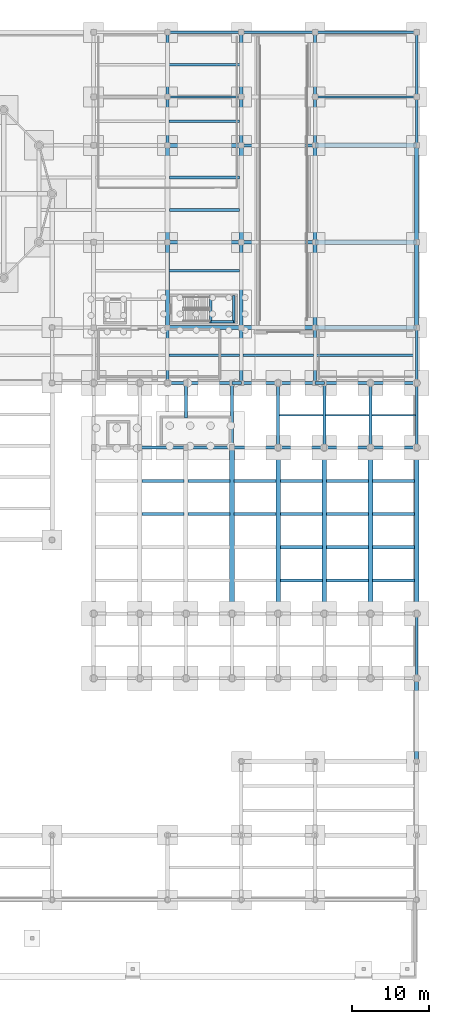
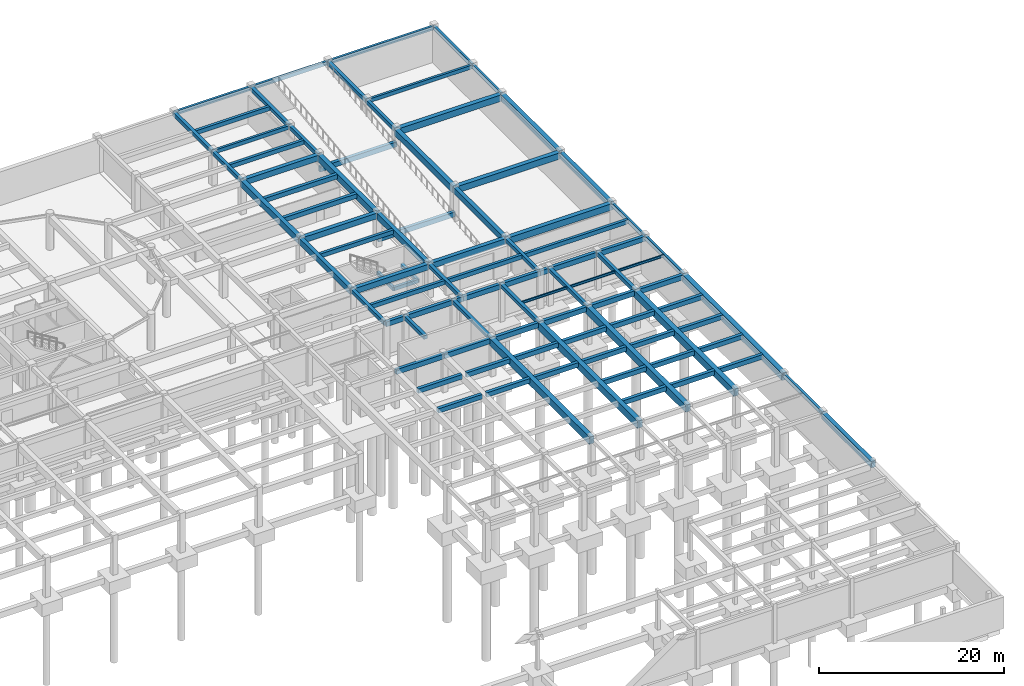
# One storey, part 19 of 37: 93 beams.
"""IFC4 building model written with IfcOpenShell, lengths in metres."""

from ifc_helpers import new_model, si_unit, direction, frame, origin, origin_2d, place, context, subcontext, project, spatial, rectangle, i_section, extrude, material, material_profile, profile_set, type_object, element, save


model = new_model("IFC4")

# Units and contexts
model_context = context("Model", 3, precision=1e-05, world=origin(), true_north=direction((0.0, 1.0)))
body_context = subcontext(model_context, "Body", "Model", "MODEL_VIEW")
ifc_project = project(units=[si_unit("LENGTHUNIT", "METRE"), si_unit("AREAUNIT", "SQUARE_METRE"), si_unit("VOLUMEUNIT", "CUBIC_METRE"), si_unit("PLANEANGLEUNIT", "RADIAN"), si_unit("MASSUNIT", "GRAM", prefix="KILO")], contexts=[model_context])

# Site, building, storey
site_placement = place(None, origin())
site = spatial("IfcSite", under=ifc_project, at=site_placement, CompositionType="ELEMENT")
building_placement = place(site_placement, origin())
building = spatial("IfcBuilding", under=site, at=building_placement, Name="Tarnavel Promenade Courthouse", CompositionType="ELEMENT")
storey_placement = place(building_placement, frame((0.0, 0.0, -4.800048828125)))
storey = spatial("IfcBuildingStorey", under=building, at=storey_placement, Name="B01", CompositionType="ELEMENT", Elevation=-4.800048828125)

# Beams
ifc_material_1 = material(Name="Concrete C40/50", Category="concrete")
ifc_material_profile_1 = material_profile(ifc_material_1, rectangle(XDim=0.35009765625, YDim=0.550048828125, at=origin_2d()), Name="PT 350x550")
ifc_profile_set_1 = profile_set([ifc_material_profile_1], Name="Concrete C40/50")
beam_type_1 = type_object("IfcBeamType", Name="Concrete C40/50 BM-PT-350x550 (PT 350x550)", PredefinedType="JOIST", material=ifc_profile_set_1)
beam_1_placement = place(storey_placement, frame((129.77001953125, 70.800048828125, 4.179931640625), z_axis=(1.0, 0.0, 0.0), x_axis=(0.0, 1.0, 0.0)))
element("IfcBeam", 1, at=beam_1_placement, inside=storey, type_object=beam_type_1, Name="B01 Secondary Floor Rib 0411", PredefinedType="JOIST", context=body_context, shape_type="SweptSolid", body=[
    extrude(rectangle(XDim=0.35009765625, YDim=0.550048828125, at=origin_2d()), origin(), (0.0, 0.0, 1.0), 9.260009765625),
])
beam_2_placement = place(storey_placement, frame((139.3701171875, 70.800048828125, 4.179931640625), z_axis=(1.0, 0.0, 0.0), x_axis=(0.0, 1.0, 0.0)))
element("IfcBeam", 2, at=beam_2_placement, inside=storey, type_object=beam_type_1, Name="B01 Secondary Floor Rib 0412", PredefinedType="JOIST", context=body_context, shape_type="SweptSolid", body=[
    extrude(rectangle(XDim=0.35009765625, YDim=0.550048828125, at=origin_2d()), origin(), (0.0, 0.0, 1.0), 9.259765625),
])
beam_3_placement = place(storey_placement, frame((148.969970703125, 70.800048828125, 4.179931640625), z_axis=(1.0, 0.0, 0.0), x_axis=(0.0, 1.0, 0.0)))
element("IfcBeam", 3, at=beam_3_placement, inside=storey, type_object=beam_type_1, Name="B01 Secondary Floor Rib 0413", PredefinedType="JOIST", context=body_context, shape_type="SweptSolid", body=[
    extrude(rectangle(XDim=0.35009765625, YDim=0.550048828125, at=origin_2d()), origin(), (0.0, 0.0, 1.0), 12.909912109375),
])
beam_4_placement = place(storey_placement, frame((129.820068359375, 81.800048828125, 4.179931640625), z_axis=(1.0, 0.0, 0.0), x_axis=(0.0, 1.0, 0.0)))
element("IfcBeam", 4, at=beam_4_placement, inside=storey, type_object=beam_type_1, Name="B01 Secondary Floor Rib 0424", PredefinedType="JOIST", context=body_context, shape_type="SweptSolid", body=[
    extrude(rectangle(XDim=0.35009765625, YDim=0.550048828125, at=origin_2d()), origin(), (0.0, 0.0, 1.0), 9.159912109375),
])
for number, where, z_axis, x_axis, name in (
    (5, (129.77001953125, 108.60009765625, 4.179931640625), (1.0, 0.0, 0.0), (0.0, 1.0, 0.0), "B01 Secondary Floor Rib 0511"),
    (6, (129.77001953125, 101.25, 4.179931640625), (1.0, 0.0, 0.0), (0.0, 1.0, 0.0), "B01 Secondary Floor Rib 0545"),
):
    element("IfcBeam", number, at=place(storey_placement, frame(where, z_axis=z_axis, x_axis=x_axis)), inside=storey, type_object=beam_type_1, Name=name, PredefinedType="JOIST", context=body_context, shape_type="SweptSolid", body=[
        extrude(rectangle(XDim=0.35009765625, YDim=0.550048828125, at=origin_2d()), origin(), (0.0, 0.0, 1.0), 9.260009765625),
    ])
ifc_material_profile_2 = material_profile(ifc_material_1, rectangle(XDim=0.39990234375, YDim=0.60009765625, at=origin_2d()), Name="PT 400x600")
ifc_profile_set_2 = profile_set([ifc_material_profile_2], Name="Concrete C40/50")
beam_type_2 = type_object("IfcBeamType", Name="Concrete C40/50 BM-PT-400x600 (PT 400x600)", PredefinedType="JOIST", material=ifc_profile_set_2)
for number, where, z_axis, x_axis, name in (
    (7, (129.844970703125, 89.699951171875, 4.155029296875), (1.0, 0.0, 0.0), (0.0, 1.0, 0.0), "B01 Secondary Floor Rib 0439"),
    (8, (129.844970703125, 93.89990234375, 4.155029296875), (1.0, 0.0, 0.0), (0.0, 1.0, 0.0), "B01 Secondary Floor Rib 0440"),
):
    element("IfcBeam", number, at=place(storey_placement, frame(where, z_axis=z_axis, x_axis=x_axis)), inside=storey, type_object=beam_type_2, Name=name, PredefinedType="JOIST", context=body_context, shape_type="SweptSolid", body=[
        extrude(rectangle(XDim=0.39990234375, YDim=0.60009765625, at=origin_2d()), origin(), (0.0, 0.0, 1.0), 9.110107421875),
    ])
for number, where, z_axis, x_axis, name in (
    (9, (126.27001953125, 50.159912109375, 4.215087890625), (1.0, 0.0, 0.0), (0.0, 1.0, 0.0), "B01 Secondary Floor Rib 0518"),
    (10, (126.27001953125, 54.47998046875, 4.215087890625), (1.0, 0.0, 0.0), (0.0, 1.0, 0.0), "B01 Secondary Floor Rib 0519"),
    (11, (132.27001953125, 50.159912109375, 4.215087890625), (1.0, 0.0, 0.0), (0.0, 1.0, 0.0), "B01 Secondary Floor Rib 0522"),
    (12, (132.27001953125, 54.47998046875, 4.215087890625), (1.0, 0.0, 0.0), (0.0, 1.0, 0.0), "B01 Secondary Floor Rib 0523"),
    (13, (138.27001953125, 50.159912109375, 4.215087890625), (1.0, 0.0, 0.0), (0.0, 1.0, 0.0), "B01 Secondary Floor Rib 0526"),
    (14, (138.27001953125, 54.47998046875, 4.215087890625), (1.0, 0.0, 0.0), (0.0, 1.0, 0.0), "B01 Secondary Floor Rib 0527"),
    (15, (144.27001953125, 41.52001953125, 4.215087890625), (1.0, 0.0, 0.0), (0.0, 1.0, 0.0), "B01 Secondary Floor Rib 0528"),
    (16, (144.27001953125, 45.840087890625, 4.215087890625), (1.0, 0.0, 0.0), (0.0, 1.0, 0.0), "B01 Secondary Floor Rib 0529"),
    (17, (144.27001953125, 50.159912109375, 4.215087890625), (1.0, 0.0, 0.0), (0.0, 1.0, 0.0), "B01 Secondary Floor Rib 0530"),
    (18, (144.27001953125, 54.47998046875, 4.215087890625), (1.0, 0.0, 0.0), (0.0, 1.0, 0.0), "B01 Secondary Floor Rib 0531"),
    (19, (150.27001953125, 41.52001953125, 4.215087890625), (1.0, 0.0, 0.0), (0.0, 1.0, 0.0), "B01 Secondary Floor Rib 0532"),
    (20, (150.27001953125, 45.840087890625, 4.215087890625), (1.0, 0.0, 0.0), (0.0, 1.0, 0.0), "B01 Secondary Floor Rib 0533"),
    (21, (150.27001953125, 50.159912109375, 4.215087890625), (1.0, 0.0, 0.0), (0.0, 1.0, 0.0), "B01 Secondary Floor Rib 0534"),
    (22, (150.27001953125, 54.47998046875, 4.215087890625), (1.0, 0.0, 0.0), (0.0, 1.0, 0.0), "B01 Secondary Floor Rib 0535"),
    (23, (156.27001953125, 41.52001953125, 4.215087890625), (1.0, 0.0, 0.0), (0.0, 1.0, 0.0), "B01 Secondary Floor Rib 0536"),
    (24, (156.27001953125, 45.840087890625, 4.215087890625), (1.0, 0.0, 0.0), (0.0, 1.0, 0.0), "B01 Secondary Floor Rib 0537"),
    (25, (156.27001953125, 50.159912109375, 4.215087890625), (1.0, 0.0, 0.0), (0.0, 1.0, 0.0), "B01 Secondary Floor Rib 0538"),
    (26, (156.27001953125, 54.47998046875, 4.215087890625), (1.0, 0.0, 0.0), (0.0, 1.0, 0.0), "B01 Secondary Floor Rib 0539"),
):
    element("IfcBeam", number, at=place(storey_placement, frame(where, z_axis=z_axis, x_axis=x_axis)), inside=storey, type_object=beam_type_2, Name=name, PredefinedType="JOIST", context=body_context, shape_type="SweptSolid", body=[
        extrude(rectangle(XDim=0.39990234375, YDim=0.60009765625, at=origin_2d()), origin(), (0.0, 0.0, 1.0), 5.4599609375),
    ])
ifc_material_profile_3 = material_profile(ifc_material_1, rectangle(XDim=0.5, YDim=0.800048828125, at=origin_2d()), Name="PT 500x800")
ifc_profile_set_3 = profile_set([ifc_material_profile_3], Name="Concrete C40/50")
beam_type_3 = type_object("IfcBeamType", Name="Concrete C40/50 BM-PT-500x800 (PT 500x800)", PredefinedType="T_BEAM", material=ifc_profile_set_3)
for number, where, z_axis, x_axis, name in (
    (27, (129.60009765625, 74.39990234375, 4.054931640625), (0.0, 1.0, 0.0), (-1.0, 0.0, 0.0), "B01 Transverse Girder 0310"),
    (28, (139.199951171875, 74.39990234375, 4.054931640625), (0.0, 1.0, 0.0), (-1.0, 0.0, 0.0), "B01 Transverse Girder 0323"),
    (29, (148.800048828125, 74.39990234375, 4.054931640625), (0.0, 1.0, 0.0), (-1.0, 0.0, 0.0), "B01 Transverse Girder 0333"),
):
    element("IfcBeam", number, at=place(storey_placement, frame(where, z_axis=z_axis, x_axis=x_axis)), inside=storey, type_object=beam_type_3, Name=name, PredefinedType="T_BEAM", context=body_context, shape_type="SweptSolid", body=[
        extrude(rectangle(XDim=0.5, YDim=0.800048828125, at=origin_2d()), origin(), (0.0, 0.0, 1.0), 11.10009765625),
    ])
beam_5_placement = place(storey_placement, frame((162.0, 18.0, 4.070068359375), z_axis=(0.0, 1.0, 0.0), x_axis=(-1.0, 0.0, 0.0)))
element("IfcBeam", 30, at=beam_5_placement, inside=storey, type_object=beam_type_3, Name="B01 Transverse Girder 0345", PredefinedType="T_BEAM", context=body_context, shape_type="SweptSolid", body=[
    extrude(rectangle(XDim=0.5, YDim=0.800048828125, at=origin_2d()), origin(), (0.0, 0.0, 1.0), 10.800048828125),
])
beam_6_placement = place(storey_placement, frame((162.0, 74.39990234375, 4.054931640625), z_axis=(0.0, 1.0, 0.0), x_axis=(-1.0, 0.0, 0.0)))
element("IfcBeam", 31, at=beam_6_placement, inside=storey, type_object=beam_type_3, Name="B01 Transverse Girder 0350", PredefinedType="T_BEAM", context=body_context, shape_type="SweptSolid", body=[
    extrude(rectangle(XDim=0.5, YDim=0.800048828125, at=origin_2d()), origin(), (0.0, 0.0, 1.0), 11.10009765625),
])
ifc_material_profile_4 = material_profile(ifc_material_1, rectangle(XDim=0.550048828125, YDim=0.85009765625, at=origin_2d()), Name="PT 550x850")
ifc_profile_set_4 = profile_set([ifc_material_profile_4], Name="Concrete C40/50")
beam_type_4 = type_object("IfcBeamType", Name="Concrete C40/50 BM-PT-550x850 (PT 550x850)", PredefinedType="T_BEAM", material=ifc_profile_set_4)
for number, where, z_axis, x_axis, name in (
    (32, (148.800048828125, 74.39990234375, 4.030029296875), (1.0, 0.0, 0.0), (0.0, 1.0, 0.0), "B01 Primary Longitudinal Beam 0128"),
    (33, (148.800048828125, 85.5, 4.030029296875), (1.0, 0.0, 0.0), (0.0, 1.0, 0.0), "B01 Primary Longitudinal Beam 0144"),
    (34, (148.800048828125, 98.10009765625, 4.030029296875), (1.0, 0.0, 0.0), (0.0, 1.0, 0.0), "B01 Primary Longitudinal Beam 0162"),
):
    element("IfcBeam", number, at=place(storey_placement, frame(where, z_axis=z_axis, x_axis=x_axis)), inside=storey, type_object=beam_type_4, Name=name, PredefinedType="T_BEAM", context=body_context, shape_type="SweptSolid", body=[
        extrude(rectangle(XDim=0.550048828125, YDim=0.85009765625, at=origin_2d()), origin(), (0.0, 0.0, 1.0), 13.199951171875),
    ])
for number, where, z_axis, x_axis, name in (
    (35, (129.60009765625, 85.5, 4.030029296875), (0.0, 1.0, 0.0), (-1.0, 0.0, 0.0), "B01 Transverse Girder 0311"),
    (36, (139.199951171875, 85.5, 4.030029296875), (0.0, 1.0, 0.0), (-1.0, 0.0, 0.0), "B01 Transverse Girder 0324"),
    (37, (148.800048828125, 85.5, 4.030029296875), (0.0, 1.0, 0.0), (-1.0, 0.0, 0.0), "B01 Transverse Girder 0334"),
    (38, (162.0, 85.5, 4.030029296875), (0.0, 1.0, 0.0), (-1.0, 0.0, 0.0), "B01 Transverse Girder 0351"),
):
    element("IfcBeam", number, at=place(storey_placement, frame(where, z_axis=z_axis, x_axis=x_axis)), inside=storey, type_object=beam_type_4, Name=name, PredefinedType="T_BEAM", context=body_context, shape_type="SweptSolid", body=[
        extrude(rectangle(XDim=0.550048828125, YDim=0.85009765625, at=origin_2d()), origin(), (0.0, 0.0, 1.0), 12.60009765625),
    ])
ifc_material_profile_5 = material_profile(ifc_material_1, rectangle(XDim=0.60009765625, YDim=0.949951171875, at=origin_2d()), Name="PT 600x950")
ifc_profile_set_5 = profile_set([ifc_material_profile_5], Name="Concrete C40/50")
beam_type_5 = type_object("IfcBeamType", Name="Concrete C40/50 BM-PT-600x950 (PT 600x950)", PredefinedType="T_BEAM", material=ifc_profile_set_5)
for number, where, z_axis, x_axis, name in (
    (39, (138.0, 37.199951171875, 4.0400390625), (0.0, 1.0, 0.0), (-1.0, 0.0, 0.0), "B01 Transverse Girder 0318"),
    (40, (144.0, 37.199951171875, 4.0400390625), (0.0, 1.0, 0.0), (-1.0, 0.0, 0.0), "B01 Transverse Girder 0328"),
    (41, (150.0, 37.199951171875, 4.0400390625), (0.0, 1.0, 0.0), (-1.0, 0.0, 0.0), "B01 Transverse Girder 0338"),
    (42, (156.0, 37.199951171875, 4.0400390625), (0.0, 1.0, 0.0), (-1.0, 0.0, 0.0), "B01 Transverse Girder 0341"),
    (43, (162.0, 37.199951171875, 4.0400390625), (0.0, 1.0, 0.0), (-1.0, 0.0, 0.0), "B01 Transverse Girder 0347"),
):
    element("IfcBeam", number, at=place(storey_placement, frame(where, z_axis=z_axis, x_axis=x_axis)), inside=storey, type_object=beam_type_5, Name=name, PredefinedType="T_BEAM", context=body_context, shape_type="SweptSolid", body=[
        extrude(rectangle(XDim=0.60009765625, YDim=0.949951171875, at=origin_2d()), origin(), (0.0, 0.0, 1.0), 21.60009765625),
    ])
ifc_material_profile_6 = material_profile(ifc_material_1, rectangle(XDim=0.35009765625, YDim=0.449951171875, at=origin_2d()), Name="RC 350x450")
ifc_profile_set_6 = profile_set([ifc_material_profile_6], Name="Concrete C40/50")
beam_type_6 = type_object("IfcBeamType", Name="Concrete C40/50 BM-RC-350x450 (RC 350x450)", PredefinedType="BEAM", material=ifc_profile_set_6)
for number, where, z_axis, x_axis, name in (
    (44, (135.239990234375, 75.02001953125, 1.969970703125), (0.0, 1.0, 0.0), (-1.0, 0.0, 0.0), "B01 ST-06 Mid-Landing Support Beam Near"),
    (45, (138.219970703125, 75.02001953125, 1.969970703125), (0.0, 1.0, 0.0), (-1.0, 0.0, 0.0), "B01 ST-06 Mid-Landing Support Beam Far"),
):
    element("IfcBeam", number, at=place(storey_placement, frame(where, z_axis=z_axis, x_axis=x_axis)), inside=storey, type_object=beam_type_6, Name=name, PredefinedType="BEAM", context=body_context, shape_type="SweptSolid", body=[
        extrude(rectangle(XDim=0.35009765625, YDim=0.449951171875, at=origin_2d()), origin(), (0.0, 0.0, 1.0), 3.56005859375),
    ])
beam_7_placement = place(storey_placement, frame((135.239990234375, 75.169921875, 1.969970703125), z_axis=(1.0, 0.0, 0.0), x_axis=(0.0, 1.0, 0.0)))
element("IfcBeam", 46, at=beam_7_placement, inside=storey, type_object=beam_type_6, Name="B01 ST-06 Mid-Landing Edge Trimmer", PredefinedType="BEAM", context=body_context, shape_type="SweptSolid", body=[
    extrude(rectangle(XDim=0.35009765625, YDim=0.449951171875, at=origin_2d()), origin(), (0.0, 0.0, 1.0), 2.97998046875),
])
ifc_material_profile_7 = material_profile(ifc_material_1, rectangle(XDim=0.39990234375, YDim=0.5, at=origin_2d()), Name="RC 400x500")
ifc_profile_set_7 = profile_set([ifc_material_profile_7], Name="Concrete C40/50")
beam_type_7 = type_object("IfcBeamType", Name="Concrete C40/50 BM-RC-400x500 (RC 400x500)", PredefinedType="BEAM", material=ifc_profile_set_7)
beam_8_placement = place(storey_placement, frame((129.60009765625, 67.199951171875, 4.205078125), z_axis=(0.0, 1.0, 0.0), x_axis=(-1.0, 0.0, 0.0)))
element("IfcBeam", 47, at=beam_8_placement, inside=storey, type_object=beam_type_7, Name="B01 Transverse Girder 0309", PredefinedType="BEAM", context=body_context, shape_type="SweptSolid", body=[
    extrude(rectangle(XDim=0.39990234375, YDim=0.5, at=origin_2d()), origin(), (0.0, 0.0, 1.0), 7.199951171875),
])
beam_9_placement = place(storey_placement, frame((129.60009765625, 98.10009765625, 4.205078125), z_axis=(0.0, 1.0, 0.0), x_axis=(-1.0, 0.0, 0.0)))
element("IfcBeam", 48, at=beam_9_placement, inside=storey, type_object=beam_type_7, Name="B01 Transverse Girder 0312", PredefinedType="BEAM", context=body_context, shape_type="SweptSolid", body=[
    extrude(rectangle(XDim=0.39990234375, YDim=0.5, at=origin_2d()), origin(), (0.0, 0.0, 1.0), 6.2998046875),
])
beam_10_placement = place(storey_placement, frame((129.60009765625, 104.39990234375, 4.205078125), z_axis=(0.0, 1.0, 0.0), x_axis=(-1.0, 0.0, 0.0)))
element("IfcBeam", 49, at=beam_10_placement, inside=storey, type_object=beam_type_7, Name="B01 Transverse Girder 0313", PredefinedType="BEAM", context=body_context, shape_type="SweptSolid", body=[
    extrude(rectangle(XDim=0.39990234375, YDim=0.5, at=origin_2d()), origin(), (0.0, 0.0, 1.0), 8.400146484375),
])
beam_11_placement = place(storey_placement, frame((132.0, 62.64990234375, 4.26513671875), z_axis=(0.0, 1.0, 0.0), x_axis=(-1.0, 0.0, 0.0)))
element("IfcBeam", 50, at=beam_11_placement, inside=storey, type_object=beam_type_7, Name="B01 Transverse Girder 0316", PredefinedType="BEAM", context=body_context, shape_type="SweptSolid", body=[
    extrude(rectangle(XDim=0.39990234375, YDim=0.5, at=origin_2d()), origin(), (0.0, 0.0, 1.0), 4.550048828125),
])
beam_12_placement = place(storey_placement, frame((138.0, 58.800048828125, 4.26513671875), z_axis=(0.0, 1.0, 0.0), x_axis=(-1.0, 0.0, 0.0)))
element("IfcBeam", 51, at=beam_12_placement, inside=storey, type_object=beam_type_7, Name="B01 Transverse Girder 0319", PredefinedType="BEAM", context=body_context, shape_type="SweptSolid", body=[
    extrude(rectangle(XDim=0.39990234375, YDim=0.5, at=origin_2d()), origin(), (0.0, 0.0, 1.0), 8.39990234375),
])
beam_13_placement = place(storey_placement, frame((139.199951171875, 67.199951171875, 4.205078125), z_axis=(0.0, 1.0, 0.0), x_axis=(-1.0, 0.0, 0.0)))
element("IfcBeam", 52, at=beam_13_placement, inside=storey, type_object=beam_type_7, Name="B01 Transverse Girder 0322", PredefinedType="BEAM", context=body_context, shape_type="SweptSolid", body=[
    extrude(rectangle(XDim=0.39990234375, YDim=0.5, at=origin_2d()), origin(), (0.0, 0.0, 1.0), 7.199951171875),
])
beam_14_placement = place(storey_placement, frame((139.199951171875, 98.10009765625, 4.205078125), z_axis=(0.0, 1.0, 0.0), x_axis=(-1.0, 0.0, 0.0)))
element("IfcBeam", 53, at=beam_14_placement, inside=storey, type_object=beam_type_7, Name="B01 Transverse Girder 0325", PredefinedType="BEAM", context=body_context, shape_type="SweptSolid", body=[
    extrude(rectangle(XDim=0.39990234375, YDim=0.5, at=origin_2d()), origin(), (0.0, 0.0, 1.0), 6.2998046875),
])
beam_15_placement = place(storey_placement, frame((139.199951171875, 104.39990234375, 4.205078125), z_axis=(0.0, 1.0, 0.0), x_axis=(-1.0, 0.0, 0.0)))
element("IfcBeam", 54, at=beam_15_placement, inside=storey, type_object=beam_type_7, Name="B01 Transverse Girder 0326", PredefinedType="BEAM", context=body_context, shape_type="SweptSolid", body=[
    extrude(rectangle(XDim=0.39990234375, YDim=0.5, at=origin_2d()), origin(), (0.0, 0.0, 1.0), 8.400146484375),
])
beam_16_placement = place(storey_placement, frame((144.0, 58.800048828125, 4.26513671875), z_axis=(0.0, 1.0, 0.0), x_axis=(-1.0, 0.0, 0.0)))
element("IfcBeam", 55, at=beam_16_placement, inside=storey, type_object=beam_type_7, Name="B01 Transverse Girder 0329", PredefinedType="BEAM", context=body_context, shape_type="SweptSolid", body=[
    extrude(rectangle(XDim=0.39990234375, YDim=0.5, at=origin_2d()), origin(), (0.0, 0.0, 1.0), 8.39990234375),
])
beam_17_placement = place(storey_placement, frame((148.800048828125, 67.199951171875, 4.205078125), z_axis=(0.0, 1.0, 0.0), x_axis=(-1.0, 0.0, 0.0)))
element("IfcBeam", 56, at=beam_17_placement, inside=storey, type_object=beam_type_7, Name="B01 Transverse Girder 0332", PredefinedType="BEAM", context=body_context, shape_type="SweptSolid", body=[
    extrude(rectangle(XDim=0.39990234375, YDim=0.5, at=origin_2d()), origin(), (0.0, 0.0, 1.0), 7.199951171875),
])
beam_18_placement = place(storey_placement, frame((148.800048828125, 98.10009765625, 4.205078125), z_axis=(0.0, 1.0, 0.0), x_axis=(-1.0, 0.0, 0.0)))
element("IfcBeam", 57, at=beam_18_placement, inside=storey, type_object=beam_type_7, Name="B01 Transverse Girder 0335", PredefinedType="BEAM", context=body_context, shape_type="SweptSolid", body=[
    extrude(rectangle(XDim=0.39990234375, YDim=0.5, at=origin_2d()), origin(), (0.0, 0.0, 1.0), 6.2998046875),
])
beam_19_placement = place(storey_placement, frame((148.800048828125, 104.39990234375, 4.205078125), z_axis=(0.0, 1.0, 0.0), x_axis=(-1.0, 0.0, 0.0)))
element("IfcBeam", 58, at=beam_19_placement, inside=storey, type_object=beam_type_7, Name="B01 Transverse Girder 0336", PredefinedType="BEAM", context=body_context, shape_type="SweptSolid", body=[
    extrude(rectangle(XDim=0.39990234375, YDim=0.5, at=origin_2d()), origin(), (0.0, 0.0, 1.0), 8.400146484375),
])
for number, where, z_axis, x_axis, name in (
    (59, (150.0, 58.800048828125, 4.26513671875), (0.0, 1.0, 0.0), (-1.0, 0.0, 0.0), "B01 Transverse Girder 0339"),
    (60, (156.0, 58.800048828125, 4.26513671875), (0.0, 1.0, 0.0), (-1.0, 0.0, 0.0), "B01 Transverse Girder 0342"),
):
    element("IfcBeam", number, at=place(storey_placement, frame(where, z_axis=z_axis, x_axis=x_axis)), inside=storey, type_object=beam_type_7, Name=name, PredefinedType="BEAM", context=body_context, shape_type="SweptSolid", body=[
        extrude(rectangle(XDim=0.39990234375, YDim=0.5, at=origin_2d()), origin(), (0.0, 0.0, 1.0), 8.39990234375),
    ])
ifc_material_profile_8 = material_profile(ifc_material_1, rectangle(XDim=0.39990234375, YDim=0.64990234375, at=origin_2d()), Name="RC 400x650")
ifc_profile_set_8 = profile_set([ifc_material_profile_8], Name="Concrete C40/50")
beam_type_8 = type_object("IfcBeamType", Name="Concrete C40/50 BM-RC-400x650 (RC 400x650)", PredefinedType="BEAM", material=ifc_profile_set_8)
for number, where, z_axis, x_axis, name in (
    (61, (126.0, 58.800048828125, 4.18994140625), (1.0, 0.0, 0.0), (0.0, 1.0, 0.0), "B01 Primary Longitudinal Beam 0083"),
    (62, (132.0, 58.800048828125, 4.18994140625), (1.0, 0.0, 0.0), (0.0, 1.0, 0.0), "B01 Primary Longitudinal Beam 0084"),
    (63, (138.0, 58.800048828125, 4.18994140625), (1.0, 0.0, 0.0), (0.0, 1.0, 0.0), "B01 Primary Longitudinal Beam 0085"),
    (64, (144.0, 58.800048828125, 4.18994140625), (1.0, 0.0, 0.0), (0.0, 1.0, 0.0), "B01 Primary Longitudinal Beam 0086"),
    (65, (150.0, 58.800048828125, 4.18994140625), (1.0, 0.0, 0.0), (0.0, 1.0, 0.0), "B01 Primary Longitudinal Beam 0087"),
    (66, (156.0, 58.800048828125, 4.18994140625), (1.0, 0.0, 0.0), (0.0, 1.0, 0.0), "B01 Primary Longitudinal Beam 0088"),
):
    element("IfcBeam", number, at=place(storey_placement, frame(where, z_axis=z_axis, x_axis=x_axis)), inside=storey, type_object=beam_type_8, Name=name, PredefinedType="BEAM", context=body_context, shape_type="SweptSolid", body=[
        extrude(rectangle(XDim=0.39990234375, YDim=0.64990234375, at=origin_2d()), origin(), (0.0, 0.0, 1.0), 6.0),
    ])
beam_20_placement = place(storey_placement, frame((129.60009765625, 67.199951171875, 4.130126953125), z_axis=(1.0, 0.0, 0.0), x_axis=(0.0, 1.0, 0.0)))
element("IfcBeam", 67, at=beam_20_placement, inside=storey, type_object=beam_type_8, Name="B01 Primary Longitudinal Beam 0104", PredefinedType="BEAM", context=body_context, shape_type="SweptSolid", body=[
    extrude(rectangle(XDim=0.39990234375, YDim=0.64990234375, at=origin_2d()), origin(), (0.0, 0.0, 1.0), 2.39990234375),
])
beam_21_placement = place(storey_placement, frame((132.0, 67.199951171875, 4.130126953125), z_axis=(1.0, 0.0, 0.0), x_axis=(0.0, 1.0, 0.0)))
element("IfcBeam", 68, at=beam_21_placement, inside=storey, type_object=beam_type_8, Name="B01 Primary Longitudinal Beam 0105", PredefinedType="BEAM", context=body_context, shape_type="SweptSolid", body=[
    extrude(rectangle(XDim=0.39990234375, YDim=0.64990234375, at=origin_2d()), origin(), (0.0, 0.0, 1.0), 6.0),
])
beam_22_placement = place(storey_placement, frame((138.0, 67.199951171875, 4.130126953125), z_axis=(1.0, 0.0, 0.0), x_axis=(0.0, 1.0, 0.0)))
element("IfcBeam", 69, at=beam_22_placement, inside=storey, type_object=beam_type_8, Name="B01 Primary Longitudinal Beam 0106", PredefinedType="BEAM", context=body_context, shape_type="SweptSolid", body=[
    extrude(rectangle(XDim=0.39990234375, YDim=0.64990234375, at=origin_2d()), origin(), (0.0, 0.0, 1.0), 1.199951171875),
])
for number, where, z_axis, x_axis, name in (
    (70, (139.199951171875, 67.199951171875, 4.130126953125), (1.0, 0.0, 0.0), (0.0, 1.0, 0.0), "B01 Primary Longitudinal Beam 0107"),
    (71, (144.0, 67.199951171875, 4.130126953125), (1.0, 0.0, 0.0), (0.0, 1.0, 0.0), "B01 Primary Longitudinal Beam 0108"),
):
    element("IfcBeam", number, at=place(storey_placement, frame(where, z_axis=z_axis, x_axis=x_axis)), inside=storey, type_object=beam_type_8, Name=name, PredefinedType="BEAM", context=body_context, shape_type="SweptSolid", body=[
        extrude(rectangle(XDim=0.39990234375, YDim=0.64990234375, at=origin_2d()), origin(), (0.0, 0.0, 1.0), 4.800048828125),
    ])
beam_23_placement = place(storey_placement, frame((148.800048828125, 67.199951171875, 4.130126953125), z_axis=(1.0, 0.0, 0.0), x_axis=(0.0, 1.0, 0.0)))
element("IfcBeam", 72, at=beam_23_placement, inside=storey, type_object=beam_type_8, Name="B01 Primary Longitudinal Beam 0109", PredefinedType="BEAM", context=body_context, shape_type="SweptSolid", body=[
    extrude(rectangle(XDim=0.39990234375, YDim=0.64990234375, at=origin_2d()), origin(), (0.0, 0.0, 1.0), 1.199951171875),
])
for number, where, z_axis, x_axis, name in (
    (73, (150.0, 67.199951171875, 4.130126953125), (1.0, 0.0, 0.0), (0.0, 1.0, 0.0), "B01 Primary Longitudinal Beam 0110"),
    (74, (156.0, 67.199951171875, 4.130126953125), (1.0, 0.0, 0.0), (0.0, 1.0, 0.0), "B01 Primary Longitudinal Beam 0111"),
):
    element("IfcBeam", number, at=place(storey_placement, frame(where, z_axis=z_axis, x_axis=x_axis)), inside=storey, type_object=beam_type_8, Name=name, PredefinedType="BEAM", context=body_context, shape_type="SweptSolid", body=[
        extrude(rectangle(XDim=0.39990234375, YDim=0.64990234375, at=origin_2d()), origin(), (0.0, 0.0, 1.0), 6.0),
    ])
for number, where, z_axis, x_axis, name in (
    (75, (139.199951171875, 85.5, 0.851318359375), (1.0, 0.0, 0.0), (0.0, 1.0, 0.0), "B01 Vehicle Ramp Transverse Support Beam 01"),
    (76, (139.199951171875, 98.10009765625, 2.42626953125), (1.0, 0.0, 0.0), (0.0, 1.0, 0.0), "B01 Vehicle Ramp Transverse Support Beam 02"),
):
    element("IfcBeam", number, at=place(storey_placement, frame(where, z_axis=z_axis, x_axis=x_axis)), inside=storey, type_object=beam_type_8, Name=name, PredefinedType="BEAM", context=body_context, shape_type="SweptSolid", body=[
        extrude(rectangle(XDim=0.39990234375, YDim=0.64990234375, at=origin_2d()), origin(), (0.0, 0.0, 1.0), 9.60009765625),
    ])
ifc_material_profile_9 = material_profile(ifc_material_1, rectangle(XDim=0.5, YDim=0.75, at=origin_2d()), Name="RC 500x750")
ifc_profile_set_9 = profile_set([ifc_material_profile_9], Name="Concrete C40/50")
beam_type_9 = type_object("IfcBeamType", Name="Concrete C40/50 BM-RC-500x750 (RC 500x750)", PredefinedType="T_BEAM", material=ifc_profile_set_9)
beam_24_placement = place(storey_placement, frame((129.60009765625, 74.39990234375, 4.080078125), z_axis=(1.0, 0.0, 0.0), x_axis=(0.0, 1.0, 0.0)))
element("IfcBeam", 77, at=beam_24_placement, inside=storey, type_object=beam_type_9, Name="B01 Primary Longitudinal Beam 0126", PredefinedType="T_BEAM", context=body_context, shape_type="SweptSolid", body=[
    extrude(rectangle(XDim=0.5, YDim=0.75, at=origin_2d()), origin(), (0.0, 0.0, 1.0), 9.599853515625),
])
beam_25_placement = place(storey_placement, frame((139.199951171875, 74.39990234375, 4.080078125), z_axis=(1.0, 0.0, 0.0), x_axis=(0.0, 1.0, 0.0)))
element("IfcBeam", 78, at=beam_25_placement, inside=storey, type_object=beam_type_9, Name="B01 Primary Longitudinal Beam 0127", PredefinedType="T_BEAM", context=body_context, shape_type="SweptSolid", body=[
    extrude(rectangle(XDim=0.5, YDim=0.75, at=origin_2d()), origin(), (0.0, 0.0, 1.0), 9.60009765625),
])
for number, where, z_axis, x_axis, name in (
    (79, (129.60009765625, 85.5, 4.080078125), (1.0, 0.0, 0.0), (0.0, 1.0, 0.0), "B01 Primary Longitudinal Beam 0142"),
    (80, (129.60009765625, 98.10009765625, 4.080078125), (1.0, 0.0, 0.0), (0.0, 1.0, 0.0), "B01 Primary Longitudinal Beam 0160"),
):
    element("IfcBeam", number, at=place(storey_placement, frame(where, z_axis=z_axis, x_axis=x_axis)), inside=storey, type_object=beam_type_9, Name=name, PredefinedType="T_BEAM", context=body_context, shape_type="SweptSolid", body=[
        extrude(rectangle(XDim=0.5, YDim=0.75, at=origin_2d()), origin(), (0.0, 0.0, 1.0), 9.599853515625),
    ])
ifc_material_profile_10 = material_profile(ifc_material_1, rectangle(XDim=0.300048828125, YDim=0.5, at=origin_2d()), Name="RC 300x500")
ifc_profile_set_10 = profile_set([ifc_material_profile_10], Name="Concrete C40/50")
beam_type_10 = type_object("IfcBeamType", Name="Concrete C40/50 BM-SP-300x500 (RC 300x500)", PredefinedType="SPANDREL", material=ifc_profile_set_10)
beam_26_placement = place(storey_placement, frame((129.60009765625, 104.39990234375, 4.205078125), z_axis=(1.0, 0.0, 0.0), x_axis=(0.0, 1.0, 0.0)))
element("IfcBeam", 81, at=beam_26_placement, inside=storey, type_object=beam_type_10, Name="B01 Primary Longitudinal Beam 0169", PredefinedType="SPANDREL", context=body_context, shape_type="SweptSolid", body=[
    extrude(rectangle(XDim=0.300048828125, YDim=0.5, at=origin_2d()), origin(), (0.0, 0.0, 1.0), 9.599853515625),
])
beam_27_placement = place(storey_placement, frame((148.800048828125, 104.39990234375, 4.205078125), z_axis=(1.0, 0.0, 0.0), x_axis=(0.0, 1.0, 0.0)))
element("IfcBeam", 82, at=beam_27_placement, inside=storey, type_object=beam_type_10, Name="B01 Primary Longitudinal Beam 0171", PredefinedType="SPANDREL", context=body_context, shape_type="SweptSolid", body=[
    extrude(rectangle(XDim=0.300048828125, YDim=0.5, at=origin_2d()), origin(), (0.0, 0.0, 1.0), 13.199951171875),
])
beam_28_placement = place(storey_placement, frame((129.60009765625, 112.800048828125, 4.205078125), z_axis=(1.0, 0.0, 0.0), x_axis=(0.0, 1.0, 0.0)))
element("IfcBeam", 83, at=beam_28_placement, inside=storey, type_object=beam_type_10, Name="B01 Primary Longitudinal Beam 0184", PredefinedType="SPANDREL", context=body_context, shape_type="SweptSolid", body=[
    extrude(rectangle(XDim=0.300048828125, YDim=0.5, at=origin_2d()), origin(), (0.0, 0.0, 1.0), 9.599853515625),
])
beam_29_placement = place(storey_placement, frame((139.199951171875, 112.800048828125, 4.205078125), z_axis=(1.0, 0.0, 0.0), x_axis=(0.0, 1.0, 0.0)))
element("IfcBeam", 84, at=beam_29_placement, inside=storey, type_object=beam_type_10, Name="B01 Primary Longitudinal Beam 0185", PredefinedType="SPANDREL", context=body_context, shape_type="SweptSolid", body=[
    extrude(rectangle(XDim=0.300048828125, YDim=0.5, at=origin_2d()), origin(), (0.0, 0.0, 1.0), 9.60009765625),
])
beam_30_placement = place(storey_placement, frame((148.800048828125, 112.800048828125, 4.205078125), z_axis=(1.0, 0.0, 0.0), x_axis=(0.0, 1.0, 0.0)))
element("IfcBeam", 85, at=beam_30_placement, inside=storey, type_object=beam_type_10, Name="B01 Primary Longitudinal Beam 0186", PredefinedType="SPANDREL", context=body_context, shape_type="SweptSolid", body=[
    extrude(rectangle(XDim=0.300048828125, YDim=0.5, at=origin_2d()), origin(), (0.0, 0.0, 1.0), 13.199951171875),
])
for number, where, z_axis, x_axis, name in (
    (86, (162.0, 28.800048828125, 4.219970703125), (0.0, 1.0, 0.0), (-1.0, 0.0, 0.0), "B01 Transverse Girder 0346"),
    (87, (162.0, 58.800048828125, 4.26513671875), (0.0, 1.0, 0.0), (-1.0, 0.0, 0.0), "B01 Transverse Girder 0348"),
):
    element("IfcBeam", number, at=place(storey_placement, frame(where, z_axis=z_axis, x_axis=x_axis)), inside=storey, type_object=beam_type_10, Name=name, PredefinedType="SPANDREL", context=body_context, shape_type="SweptSolid", body=[
        extrude(rectangle(XDim=0.300048828125, YDim=0.5, at=origin_2d()), origin(), (0.0, 0.0, 1.0), 8.39990234375),
    ])
beam_31_placement = place(storey_placement, frame((162.0, 67.199951171875, 4.205078125), z_axis=(0.0, 1.0, 0.0), x_axis=(-1.0, 0.0, 0.0)))
element("IfcBeam", 88, at=beam_31_placement, inside=storey, type_object=beam_type_10, Name="B01 Transverse Girder 0349", PredefinedType="SPANDREL", context=body_context, shape_type="SweptSolid", body=[
    extrude(rectangle(XDim=0.300048828125, YDim=0.5, at=origin_2d()), origin(), (0.0, 0.0, 1.0), 7.199951171875),
])
beam_32_placement = place(storey_placement, frame((162.0, 98.10009765625, 4.205078125), z_axis=(0.0, 1.0, 0.0), x_axis=(-1.0, 0.0, 0.0)))
element("IfcBeam", 89, at=beam_32_placement, inside=storey, type_object=beam_type_10, Name="B01 Transverse Girder 0352", PredefinedType="SPANDREL", context=body_context, shape_type="SweptSolid", body=[
    extrude(rectangle(XDim=0.300048828125, YDim=0.5, at=origin_2d()), origin(), (0.0, 0.0, 1.0), 6.2998046875),
])
beam_33_placement = place(storey_placement, frame((162.0, 104.39990234375, 4.205078125), z_axis=(0.0, 1.0, 0.0), x_axis=(-1.0, 0.0, 0.0)))
element("IfcBeam", 90, at=beam_33_placement, inside=storey, type_object=beam_type_10, Name="B01 Transverse Girder 0353", PredefinedType="SPANDREL", context=body_context, shape_type="SweptSolid", body=[
    extrude(rectangle(XDim=0.300048828125, YDim=0.5, at=origin_2d()), origin(), (0.0, 0.0, 1.0), 8.400146484375),
])
ifc_material_2 = material(Name="Steel S355J2", Category="steel")
ifc_material_profile_11 = material_profile(ifc_material_2, i_section(OverallWidth=0.159912109375, OverallDepth=0.330078125, WebThickness=0.007568359375, FlangeThickness=0.011474609375, FilletRadius=0.01806640625, at=origin_2d()), Name="IPE 330")
ifc_profile_set_11 = profile_set([ifc_material_profile_11], Name="Steel S355J2")
beam_type_11 = type_object("IfcBeamType", Name="Steel S355J2 BM-ST-IPE330 (IPE 330)", PredefinedType="JOIST", material=ifc_profile_set_11)
for number, where, z_axis, x_axis, name in (
    (91, (144.169921875, 63.0, 4.35009765625), (1.0, 0.0, 0.0), (0.0, 1.0, 0.0), "B01 Secondary Floor Rib 0541"),
    (92, (150.169921875, 63.0, 4.35009765625), (1.0, 0.0, 0.0), (0.0, 1.0, 0.0), "B01 Secondary Floor Rib 0542"),
):
    element("IfcBeam", number, at=place(storey_placement, frame(where, z_axis=z_axis, x_axis=x_axis)), inside=storey, type_object=beam_type_11, Name=name, PredefinedType="JOIST", context=body_context, shape_type="SweptSolid", body=[
        extrude(i_section(OverallWidth=0.159912109375, OverallDepth=0.330078125, WebThickness=0.007568359375, FlangeThickness=0.011474609375, FilletRadius=0.01806640625, at=origin_2d()), origin(), (0.0, 0.0, 1.0), 5.66015625),
    ])
beam_34_placement = place(storey_placement, frame((156.169921875, 63.0, 4.35009765625), z_axis=(1.0, 0.0, 0.0), x_axis=(0.0, 1.0, 0.0)))
element("IfcBeam", 93, at=beam_34_placement, inside=storey, type_object=beam_type_11, Name="B01 Secondary Floor Rib 0543", PredefinedType="JOIST", context=body_context, shape_type="SweptSolid", body=[
    extrude(i_section(OverallWidth=0.159912109375, OverallDepth=0.330078125, WebThickness=0.007568359375, FlangeThickness=0.011474609375, FilletRadius=0.01806640625, at=origin_2d()), origin(), (0.0, 0.0, 1.0), 5.7099609375),
])

save(model, "model.ifc")
